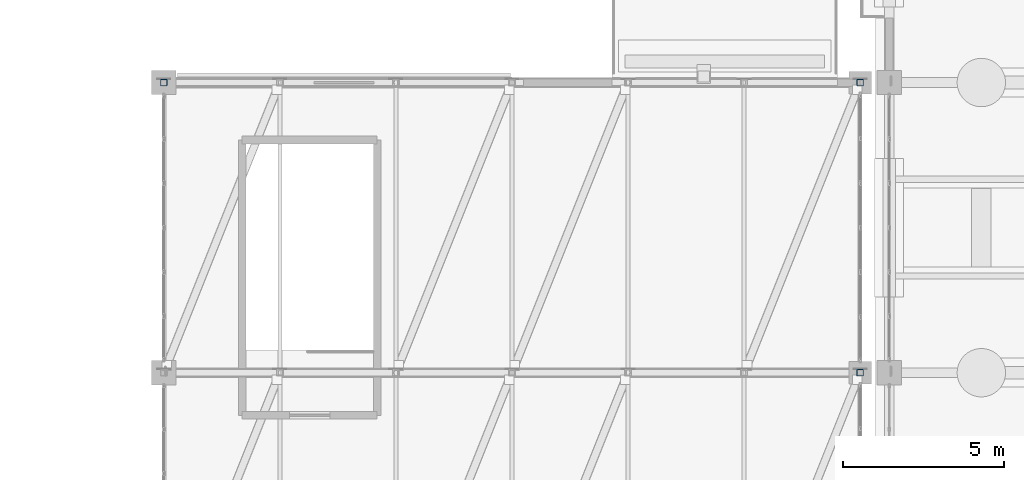
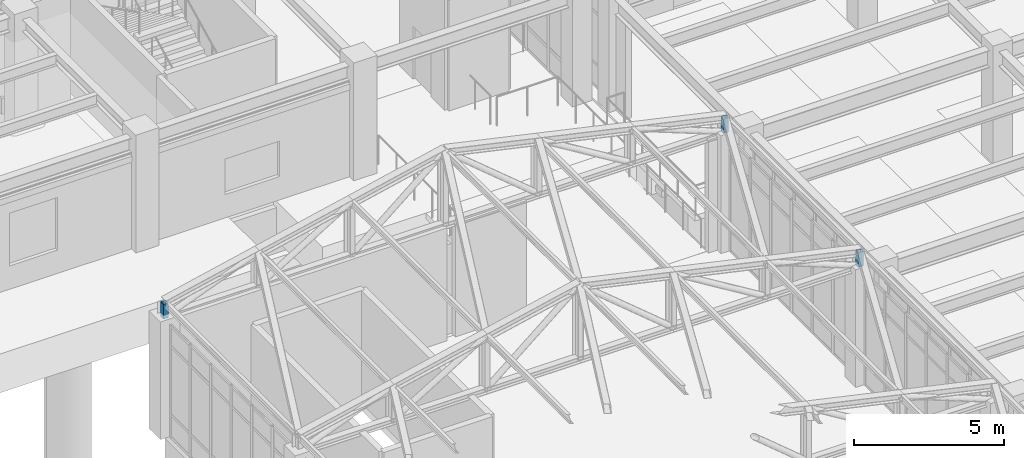
# One storey, part 89 of 139: 3 members.
"""IFC4 building model written with IfcOpenShell, lengths in metres."""

from ifc_helpers import new_model, si_unit, direction, frame, origin, origin_2d, place, context, subcontext, project, spatial, hollow_rectangle, extrude, material, material_profile, profile_set, type_object, element, save


model = new_model("IFC4")

# Units and contexts
model_context = context("Model", 3, precision=1e-05, world=origin(), true_north=direction((0.0, 1.0)))
body_context = subcontext(model_context, "Body", "Model", "MODEL_VIEW")
ifc_project = project(units=[si_unit("LENGTHUNIT", "METRE"), si_unit("AREAUNIT", "SQUARE_METRE"), si_unit("VOLUMEUNIT", "CUBIC_METRE"), si_unit("PLANEANGLEUNIT", "RADIAN"), si_unit("MASSUNIT", "GRAM", prefix="KILO")], contexts=[model_context])

# Site, building, storey
site_placement = place(None, origin())
site = spatial("IfcSite", under=ifc_project, at=site_placement, CompositionType="ELEMENT")
building_placement = place(site_placement, origin())
building = spatial("IfcBuilding", under=site, at=building_placement, Name="Canglan Escarpment Cableway Terminal", CompositionType="ELEMENT")
storey_placement = place(building_placement, frame((0.0, 0.0, 14.39990234375)))
storey = spatial("IfcBuildingStorey", under=building, at=storey_placement, Name="L03", CompositionType="ELEMENT", Elevation=14.39990234375)

# Members
ifc_material = material(Name="Steel Q355B", Category="steel")
ifc_material_profile = material_profile(ifc_material, hollow_rectangle(XDim=0.199951171875, YDim=0.199951171875, WallThickness=0.008056640625, InnerFilletRadius=0.008056640625, OuterFilletRadius=0.01611328125, at=origin_2d()), Name="SHS 200x200x8")
ifc_profile_set = profile_set([ifc_material_profile], Name="Steel Q355B")
member_type = type_object("IfcMemberType", Name="MB-PRATT-WEB-SHS200", PredefinedType="BRACE", material=ifc_profile_set)
for number, where, z_axis, x_axis, name in (
    (1, (136.699951171875, 70.0, 4.650146484375), (0.0, 0.0, 1.0), (1.0, 0.0, 0.0), "Cabin Garage ROOF TRUSS strut PT-WB1"),
    (2, (115.10009765625, 79.0, 4.650146484375), (0.0, 0.0, 1.0), (1.0, 0.0, 0.0), "Cabin Garage ROOF TRUSS strut PT-WB1"),
    (3, (136.699951171875, 79.0, 4.650146484375), (0.0, 0.0, 1.0), (1.0, 0.0, 0.0), "Cabin Garage ROOF TRUSS strut PT-WB1"),
):
    element("IfcMember", number, at=place(storey_placement, frame(where, z_axis=z_axis, x_axis=x_axis)), inside=storey, type_object=member_type, Name=name, PredefinedType="BRACE", context=body_context, shape_type="SweptSolid", body=[
        extrude(hollow_rectangle(XDim=0.199951171875, YDim=0.199951171875, WallThickness=0.008056640625, InnerFilletRadius=0.008056640625, OuterFilletRadius=0.01611328125, at=origin_2d()), origin(), (0.0, 0.0, 1.0), 0.599853515625),
    ])

save(model, "model.ifc")
